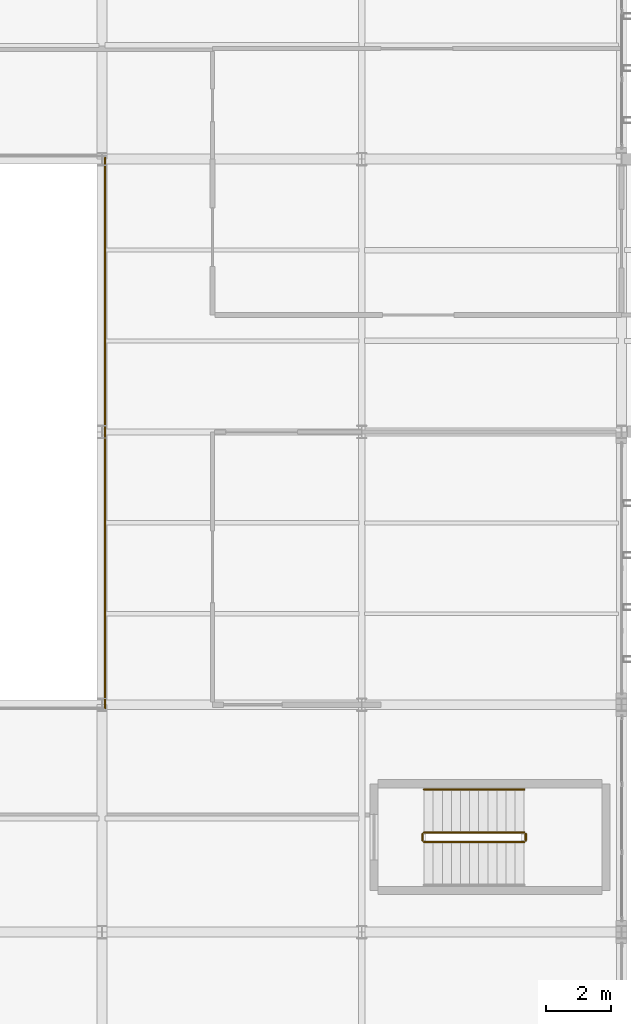
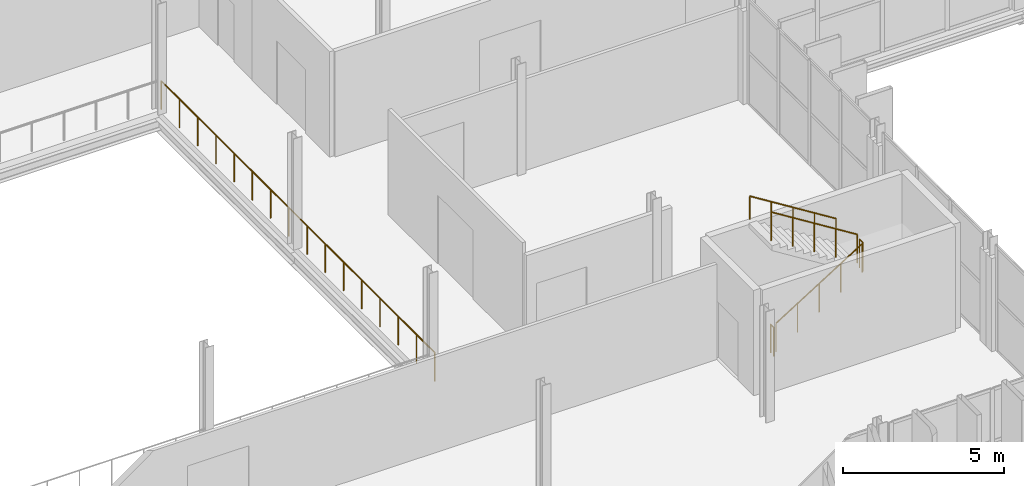
# One storey, part 95 of 101: 6 railings.
"""IFC4 building model written with IfcOpenShell, lengths in metres."""

from ifc_helpers import new_model, si_unit, direction, frame, origin, origin_2d, place, context, subcontext, project, spatial, circle, extrude, material, type_object, element, save


model = new_model("IFC4")

# Units and contexts
model_context = context("Model", 3, precision=1e-05, world=origin(), true_north=direction((0.0, 1.0)))
body_context = subcontext(model_context, "Body", "Model", "MODEL_VIEW")
ifc_project = project(units=[si_unit("LENGTHUNIT", "METRE"), si_unit("AREAUNIT", "SQUARE_METRE"), si_unit("VOLUMEUNIT", "CUBIC_METRE"), si_unit("PLANEANGLEUNIT", "RADIAN"), si_unit("MASSUNIT", "GRAM", prefix="KILO")], contexts=[model_context])

# Site, building, storey
site_placement = place(None, origin())
site = spatial("IfcSite", under=ifc_project, at=site_placement, CompositionType="ELEMENT")
building_placement = place(site_placement, origin())
building = spatial("IfcBuilding", under=site, at=building_placement, Name="Vekula Escarpment Museum", CompositionType="ELEMENT")
storey_placement = place(building_placement, frame((0.0, 0.0, 18.0)))
storey = spatial("IfcBuildingStorey", under=building, at=storey_placement, Name="L04", CompositionType="ELEMENT", Elevation=18.0)

# Railings
ifc_material_1 = material(Name="Bronze-coated Steel S355 balustrade", Category="steel")
railing_type_1 = type_object("IfcRailingType", Name="RL-ATR-BAL", PredefinedType="BALUSTRADE", material=ifc_material_1)
railing_1_placement = place(storey_placement, frame((110.10009765625, 59.5, 0.0)))
element("IfcRailing", 1, at=railing_1_placement, inside=storey, type_object=railing_type_1, Name="Central Atrium Balustrade L04 E", PredefinedType="BALUSTRADE", context=body_context, shape_type="SweptSolid", body=[
    extrude(circle(Radius=0.02392578125, at=origin_2d()), frame((0.0, 0.0, 1.076171875), z_axis=(0.0, 1.0, 0.0), x_axis=(-1.0, 0.0, 0.0)), (0.0, 0.0, 1.0), 16.93994140625),
    extrude(circle(Radius=0.02099609375, at=origin_2d()), origin(), (0.0, 0.0, 1.0), 1.052001953125),
    extrude(circle(Radius=0.02099609375, at=origin_2d()), frame((0.0, 1.12939453125, 0.0)), (0.0, 0.0, 1.0), 1.052001953125),
    extrude(circle(Radius=0.02099609375, at=origin_2d()), frame((0.0, 2.258544921875, 0.0)), (0.0, 0.0, 1.0), 1.052001953125),
    extrude(circle(Radius=0.02099609375, at=origin_2d()), frame((0.0, 3.387939453125, 0.0)), (0.0, 0.0, 1.0), 1.052001953125),
    extrude(circle(Radius=0.02099609375, at=origin_2d()), frame((0.0, 4.517333984375, 0.0)), (0.0, 0.0, 1.0), 1.052001953125),
    extrude(circle(Radius=0.02099609375, at=origin_2d()), frame((0.0, 5.646728515625, 0.0)), (0.0, 0.0, 1.0), 1.052001953125),
    extrude(circle(Radius=0.02099609375, at=origin_2d()), frame((0.0, 6.77587890625, 0.0)), (0.0, 0.0, 1.0), 1.052001953125),
    extrude(circle(Radius=0.02099609375, at=origin_2d()), frame((0.0, 7.9052734375, 0.0)), (0.0, 0.0, 1.0), 1.052001953125),
    extrude(circle(Radius=0.02099609375, at=origin_2d()), frame((0.0, 9.03466796875, 0.0)), (0.0, 0.0, 1.0), 1.052001953125),
    extrude(circle(Radius=0.02099609375, at=origin_2d()), frame((0.0, 10.1640625, 0.0)), (0.0, 0.0, 1.0), 1.052001953125),
    extrude(circle(Radius=0.02099609375, at=origin_2d()), frame((0.0, 11.293212890625, 0.0)), (0.0, 0.0, 1.0), 1.052001953125),
    extrude(circle(Radius=0.02099609375, at=origin_2d()), frame((0.0, 12.422607421875, 0.0)), (0.0, 0.0, 1.0), 1.052001953125),
    extrude(circle(Radius=0.02099609375, at=origin_2d()), frame((0.0, 13.552001953125, 0.0)), (0.0, 0.0, 1.0), 1.052001953125),
    extrude(circle(Radius=0.02099609375, at=origin_2d()), frame((0.0, 14.681396484375, 0.0)), (0.0, 0.0, 1.0), 1.052001953125),
    extrude(circle(Radius=0.02099609375, at=origin_2d()), frame((0.0, 15.810546875, 0.0)), (0.0, 0.0, 1.0), 1.052001953125),
    extrude(circle(Radius=0.02099609375, at=origin_2d()), frame((0.0, 16.93994140625, 0.0)), (0.0, 0.0, 1.0), 1.052001953125),
])
ifc_material_2 = material(Name="Painted Steel S355 stair guard", Category="steel")
railing_type_2 = type_object("IfcRailingType", Name="RL-STAIR-GUARD", PredefinedType="GUARDRAIL", material=ifc_material_2)
railing_2_placement = place(storey_placement, frame((119.919921875, 55.3701171875, 0.175048828125)))
element("IfcRailing", 2, at=railing_2_placement, inside=storey, type_object=railing_type_2, Name="L04 ST-08 stair guard 1", PredefinedType="GUARDRAIL", context=body_context, shape_type="SweptSolid", body=[
    extrude(circle(Radius=0.02392578125, at=origin_2d()), frame((0.0, 0.0, 1.076171875), z_axis=(0.847998304005, 0.0, 0.529998940003), x_axis=(0.0, 1.0, 0.0)), (0.0, 0.0, 1.0), 3.632080078125),
    extrude(circle(Radius=0.02099609375, at=origin_2d()), origin(), (0.0, 0.0, 1.0), 1.052001953125),
    extrude(circle(Radius=0.02099609375, at=origin_2d()), frame((0.77001953125, 0.0, 0.481201171875)), (0.0, 0.0, 1.0), 1.052001953125),
    extrude(circle(Radius=0.02099609375, at=origin_2d()), frame((1.5400390625, 0.0, 0.96240234375)), (0.0, 0.0, 1.0), 1.052001953125),
    extrude(circle(Radius=0.02099609375, at=origin_2d()), frame((2.31005859375, 0.0, 1.44384765625)), (0.0, 0.0, 1.0), 1.052001953125),
    extrude(circle(Radius=0.02099609375, at=origin_2d()), frame((3.080078125, 0.0, 1.925048828125)), (0.0, 0.0, 1.0), 1.052001953125),
])
railing_3_placement = place(storey_placement, frame((123.050048828125, 55.419921875, 2.10009765625)))
element("IfcRailing", 3, at=railing_3_placement, inside=storey, type_object=railing_type_2, Name="L04 ST-08 stair guard 2", PredefinedType="GUARDRAIL", context=body_context, shape_type="SweptSolid", body=[
    extrude(circle(Radius=0.02392578125, at=origin_2d()), frame((0.0, 0.0, 1.076171875), z_axis=(0.0, 1.0, 0.0), x_axis=(-1.0, 0.0, 0.0)), (0.0, 0.0, 1.0), 0.2001953125),
    extrude(circle(Radius=0.02099609375, at=origin_2d()), origin(), (0.0, 0.0, 1.0), 1.052001953125),
    extrude(circle(Radius=0.02099609375, at=origin_2d()), frame((0.0, 0.2001953125, 0.0)), (0.0, 0.0, 1.0), 1.052001953125),
])
railing_4_placement = place(storey_placement, frame((123.0, 55.669921875, 2.27490234375)))
element("IfcRailing", 4, at=railing_4_placement, inside=storey, type_object=railing_type_2, Name="L04 ST-08 stair guard 3", PredefinedType="GUARDRAIL", context=body_context, shape_type="SweptSolid", body=[
    extrude(circle(Radius=0.02392578125, at=origin_2d()), frame((0.0, 0.0, 1.076171875), z_axis=(-0.847998304005, 0.0, 0.529998940003), x_axis=(0.0, -1.0, 0.0)), (0.0, 0.0, 1.0), 3.632080078125),
    extrude(circle(Radius=0.02099609375, at=origin_2d()), origin(), (0.0, 0.0, 1.0), 1.052001953125),
    extrude(circle(Radius=0.02099609375, at=origin_2d()), frame((-0.77001953125, 0.0, 0.481201171875)), (0.0, 0.0, 1.0), 1.052001953125),
    extrude(circle(Radius=0.02099609375, at=origin_2d()), frame((-1.5400390625, 0.0, 0.96240234375)), (0.0, 0.0, 1.0), 1.052001953125),
    extrude(circle(Radius=0.02099609375, at=origin_2d()), frame((-2.31005859375, 0.0, 1.44384765625)), (0.0, 0.0, 1.0), 1.052001953125),
    extrude(circle(Radius=0.02099609375, at=origin_2d()), frame((-3.080078125, 0.0, 1.925048828125)), (0.0, 0.0, 1.0), 1.052001953125),
])
railing_5_placement = place(storey_placement, frame((119.8701171875, 55.419921875, 0.0)))
element("IfcRailing", 5, at=railing_5_placement, inside=storey, type_object=railing_type_2, Name="L04 ST-08 stair guard 4", PredefinedType="GUARDRAIL", context=body_context, shape_type="SweptSolid", body=[
    extrude(circle(Radius=0.02392578125, at=origin_2d()), frame((0.0, 0.0, 1.076171875), z_axis=(0.0, 1.0, 0.0), x_axis=(-1.0, 0.0, 0.0)), (0.0, 0.0, 1.0), 0.2001953125),
    extrude(circle(Radius=0.02099609375, at=origin_2d()), origin(), (0.0, 0.0, 1.0), 1.052001953125),
    extrude(circle(Radius=0.02099609375, at=origin_2d()), frame((0.0, 0.2001953125, 0.0)), (0.0, 0.0, 1.0), 1.052001953125),
])
ifc_material_3 = material(Name="Brushed stainless steel handrail", Category="steel")
railing_type_3 = type_object("IfcRailingType", Name="RL-STAIR-HAND", PredefinedType="HANDRAIL", material=ifc_material_3)
railing_6_placement = place(storey_placement, frame((123.0, 56.989990234375, 2.27490234375)))
element("IfcRailing", 6, at=railing_6_placement, inside=storey, type_object=railing_type_3, Name="L04 ST-08 stair handrail 2", PredefinedType="HANDRAIL", context=body_context, shape_type="SweptSolid", body=[
    extrude(circle(Radius=0.02392578125, at=origin_2d()), frame((0.0, 0.0, 0.8759765625), z_axis=(-0.847998304005, 0.0, 0.529998940003), x_axis=(0.0, -1.0, 0.0)), (0.0, 0.0, 1.0), 3.632080078125),
    extrude(circle(Radius=0.02099609375, at=origin_2d()), origin(), (0.0, 0.0, 1.0), 0.851806640625),
    extrude(circle(Radius=0.02099609375, at=origin_2d()), frame((-0.77001953125, 0.0, 0.481201171875)), (0.0, 0.0, 1.0), 0.851806640625),
    extrude(circle(Radius=0.02099609375, at=origin_2d()), frame((-1.5400390625, 0.0, 0.96240234375)), (0.0, 0.0, 1.0), 0.851806640625),
    extrude(circle(Radius=0.02099609375, at=origin_2d()), frame((-2.31005859375, 0.0, 1.44384765625)), (0.0, 0.0, 1.0), 0.851806640625),
    extrude(circle(Radius=0.02099609375, at=origin_2d()), frame((-3.080078125, 0.0, 1.925048828125)), (0.0, 0.0, 1.0), 0.851806640625),
])

save(model, "model.ifc")
